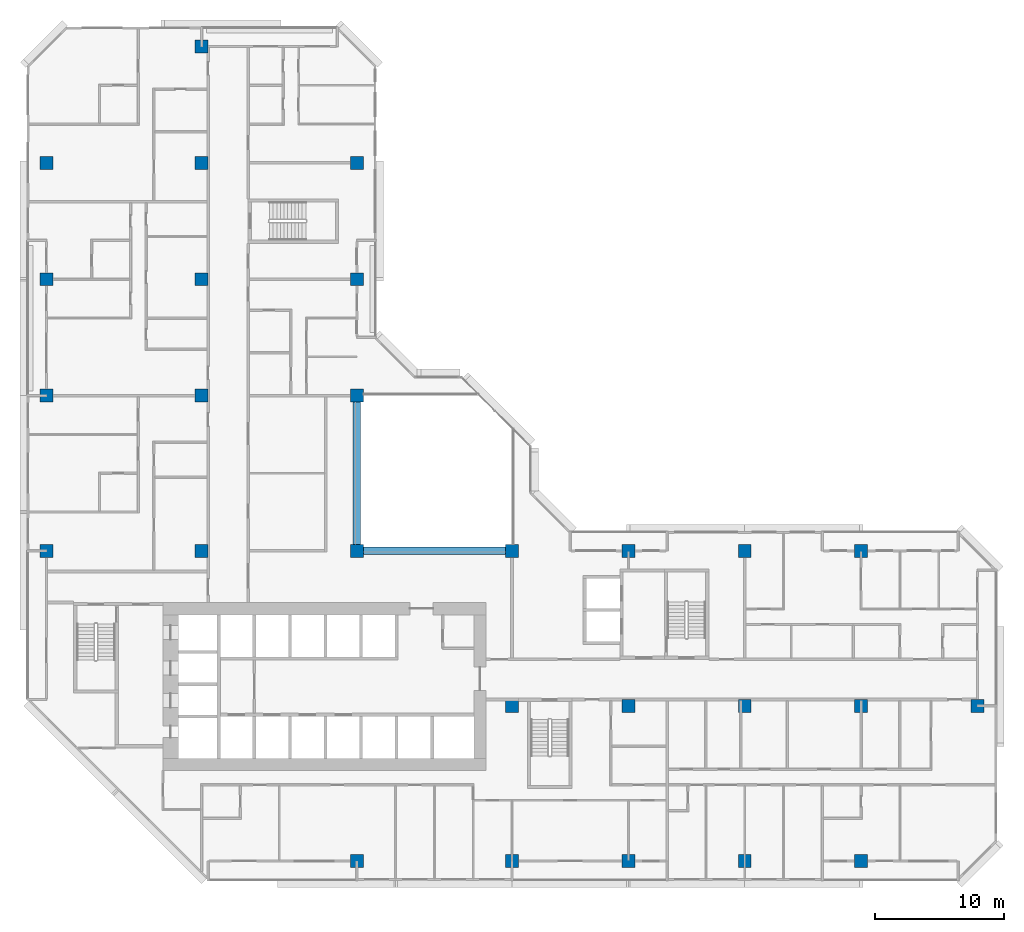
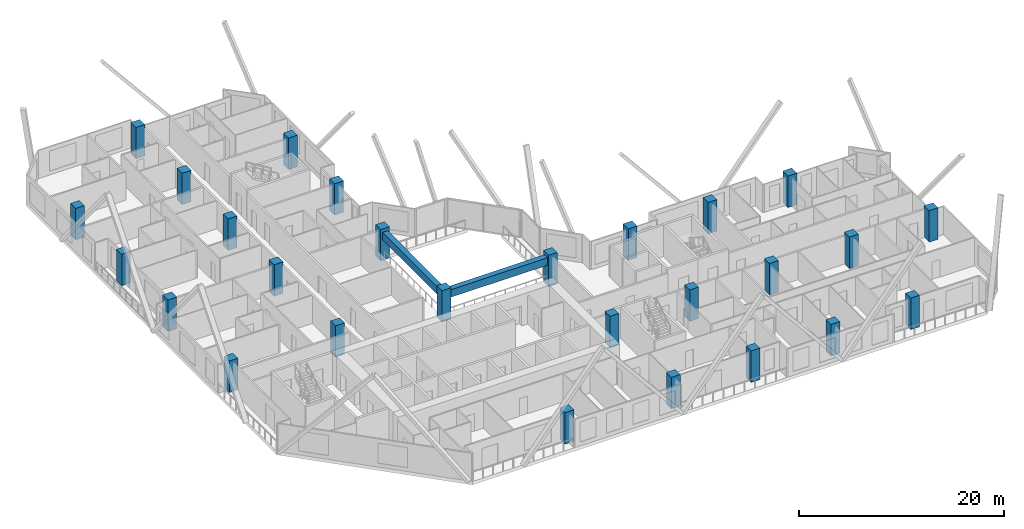
# One storey, part 1 of 15: 27 columns, 2 beams.
"""IFC4 building model written with IfcOpenShell, lengths in metres."""

from ifc_helpers import new_model, si_unit, direction, frame, origin, origin_2d, place, context, subcontext, project, spatial, rectangle, extrude, material, material_profile, profile_set, type_object, element, save


model = new_model("IFC4")

# Units and contexts
model_context = context("Model", 3, precision=1e-05, world=origin(), true_north=direction((0.0, 1.0)))
body_context = subcontext(model_context, "Body", "Model", "MODEL_VIEW")
ifc_project = project(units=[si_unit("LENGTHUNIT", "METRE"), si_unit("AREAUNIT", "SQUARE_METRE"), si_unit("VOLUMEUNIT", "CUBIC_METRE"), si_unit("PLANEANGLEUNIT", "RADIAN"), si_unit("MASSUNIT", "GRAM", prefix="KILO")], contexts=[model_context])

# Site, building, storey
site_placement = place(None, origin())
site = spatial("IfcSite", under=ifc_project, at=site_placement, CompositionType="ELEMENT")
building_placement = place(site_placement, origin())
building = spatial("IfcBuilding", under=site, at=building_placement, Name="Chenar Terraces", CompositionType="ELEMENT")
storey_placement = place(building_placement, frame((0.0, 0.0, 129.39990234375)))
storey = spatial("IfcBuildingStorey", under=building, at=storey_placement, Name="L30", CompositionType="ELEMENT", Elevation=129.39990234375)

# Columns
ifc_material_1 = material(Name="Concrete C70/85", Category="concrete")
ifc_material_profile_1 = material_profile(ifc_material_1, rectangle(XDim=1.0, YDim=1.0, at=origin_2d()), Name="C 1000 x 1000")
ifc_profile_set_1 = profile_set([ifc_material_profile_1], Name="Concrete C70/85")
column_type = type_object("IfcColumnType", Name="Column C 1000 x 1000 Concrete C70/85", PredefinedType="COLUMN", material=ifc_profile_set_1)
column_1_placement = place(storey_placement, frame((0.0, 24.0, 0.0), z_axis=(0.0, 0.0, 1.0), x_axis=(1.0, 0.0, 0.0)))
element("IfcColumn", 1, at=column_1_placement, inside=storey, type_object=column_type, Name="Column 5/G L30", PredefinedType="COLUMN", context=body_context, shape_type="SweptSolid", body=[
    extrude(rectangle(XDim=1.0, YDim=1.0, at=origin_2d()), origin(), (0.0, 0.0, 1.0), 3.75),
])
column_2_placement = place(storey_placement, frame((0.0, 36.0, 0.0), z_axis=(0.0, 0.0, 1.0), x_axis=(1.0, 0.0, 0.0)))
element("IfcColumn", 2, at=column_2_placement, inside=storey, type_object=column_type, Name="Column 5/H L30", PredefinedType="COLUMN", context=body_context, shape_type="SweptSolid", body=[
    extrude(rectangle(XDim=1.0, YDim=1.0, at=origin_2d()), origin(), (0.0, 0.0, 1.0), 3.75),
])
for number, where, z_axis, x_axis, name in (
    (3, (0.0, 45.0, 0.0), (0.0, 0.0, 1.0), (1.0, 0.0, 0.0), "Column 5/J L30"),
    (4, (0.0, 54.0, 0.0), (0.0, 0.0, 1.0), (1.0, 0.0, 0.0), "Column 5/K L30"),
    (5, (12.0, 24.0, 0.0), (0.0, 0.0, 1.0), (1.0, 0.0, 0.0), "Column 6/G L30"),
    (6, (12.0, 36.0, 0.0), (0.0, 0.0, 1.0), (1.0, 0.0, 0.0), "Column 6/H L30"),
    (7, (12.0, 45.0, 0.0), (0.0, 0.0, 1.0), (1.0, 0.0, 0.0), "Column 6/J L30"),
    (8, (12.0, 54.0, 0.0), (0.0, 0.0, 1.0), (1.0, 0.0, 0.0), "Column 6/K L30"),
    (9, (12.0, 63.0, 0.0), (0.0, 0.0, 1.0), (1.0, 0.0, 0.0), "Column 6/L L30"),
    (10, (24.0, 0.0, 0.0), (0.0, 0.0, 1.0), (1.0, 0.0, 0.0), "Column 7/E L30"),
    (11, (24.0, 24.0, 0.0), (0.0, 0.0, 1.0), (1.0, 0.0, 0.0), "Column 7/G L30"),
    (12, (24.0, 36.0, 0.0), (0.0, 0.0, 1.0), (1.0, 0.0, 0.0), "Column 7/H L30"),
    (13, (24.0, 45.0, 0.0), (0.0, 0.0, 1.0), (1.0, 0.0, 0.0), "Column 7/J L30"),
    (14, (24.0, 54.0, 0.0), (0.0, 0.0, 1.0), (1.0, 0.0, 0.0), "Column 7/K L30"),
    (15, (36.0, 0.0, 0.0), (0.0, 0.0, 1.0), (1.0, 0.0, 0.0), "Column 8/E L30"),
    (16, (36.0, 12.0, 0.0), (0.0, 0.0, 1.0), (1.0, 0.0, 0.0), "Column 8/F L30"),
    (17, (36.0, 24.0, 0.0), (0.0, 0.0, 1.0), (1.0, 0.0, 0.0), "Column 8/G L30"),
    (18, (45.0, 0.0, 0.0), (0.0, 0.0, 1.0), (1.0, 0.0, 0.0), "Column 9/E L30"),
    (19, (45.0, 12.0, 0.0), (0.0, 0.0, 1.0), (1.0, 0.0, 0.0), "Column 9/F L30"),
    (20, (45.0, 24.0, 0.0), (0.0, 0.0, 1.0), (1.0, 0.0, 0.0), "Column 9/G L30"),
    (21, (54.0, 0.0, 0.0), (0.0, 0.0, 1.0), (1.0, 0.0, 0.0), "Column 10/E L30"),
    (22, (54.0, 12.0, 0.0), (0.0, 0.0, 1.0), (1.0, 0.0, 0.0), "Column 10/F L30"),
    (23, (54.0, 24.0, 0.0), (0.0, 0.0, 1.0), (1.0, 0.0, 0.0), "Column 10/G L30"),
    (24, (63.0, 0.0, 0.0), (0.0, 0.0, 1.0), (1.0, 0.0, 0.0), "Column 11/E L30"),
    (25, (63.0, 12.0, 0.0), (0.0, 0.0, 1.0), (1.0, 0.0, 0.0), "Column 11/F L30"),
    (26, (63.0, 24.0, 0.0), (0.0, 0.0, 1.0), (1.0, 0.0, 0.0), "Column 11/G L30"),
    (27, (72.0, 12.0, 0.0), (0.0, 0.0, 1.0), (1.0, 0.0, 0.0), "Column 12/F L30"),
):
    element("IfcColumn", number, at=place(storey_placement, frame(where, z_axis=z_axis, x_axis=x_axis)), inside=storey, type_object=column_type, Name=name, PredefinedType="COLUMN", context=body_context, shape_type="SweptSolid", body=[
        extrude(rectangle(XDim=1.0, YDim=1.0, at=origin_2d()), origin(), (0.0, 0.0, 1.0), 3.75),
    ])

# Beams
ifc_material_2 = material(Name="Concrete C40/50", Category="concrete")
ifc_material_profile_2 = material_profile(ifc_material_2, rectangle(XDim=0.60009765625, YDim=0.89990234375, at=origin_2d()), Name="RC 600 x 900")
ifc_profile_set_2 = profile_set([ifc_material_profile_2], Name="Concrete C40/50")
beam_type = type_object("IfcBeamType", Name="Atrium edge beam 600 x 900 Concrete C40/50", PredefinedType="BEAM", material=ifc_profile_set_2)
for number, where, z_axis, x_axis, name in (
    (28, (24.5, 24.0, 2.900146484375), (1.0, 0.0, 0.0), (0.0, 1.0, 0.0), "Atrium edge beam L31 1"),
    (29, (24.0, 35.5, 2.900146484375), (0.0, -1.0, 0.0), (1.0, 0.0, 0.0), "Atrium edge beam L31 4"),
):
    element("IfcBeam", number, at=place(storey_placement, frame(where, z_axis=z_axis, x_axis=x_axis)), inside=storey, type_object=beam_type, Name=name, PredefinedType="BEAM", context=body_context, shape_type="SweptSolid", body=[
        extrude(rectangle(XDim=0.60009765625, YDim=0.89990234375, at=origin_2d()), origin(), (0.0, 0.0, 1.0), 11.0),
    ])

save(model, "model.ifc")
